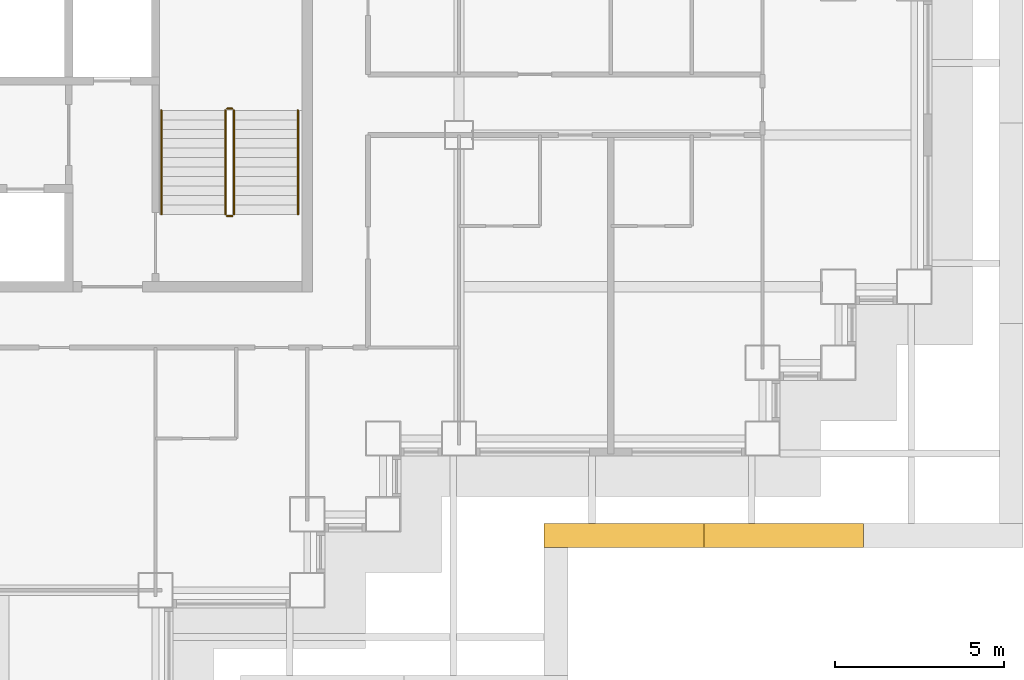
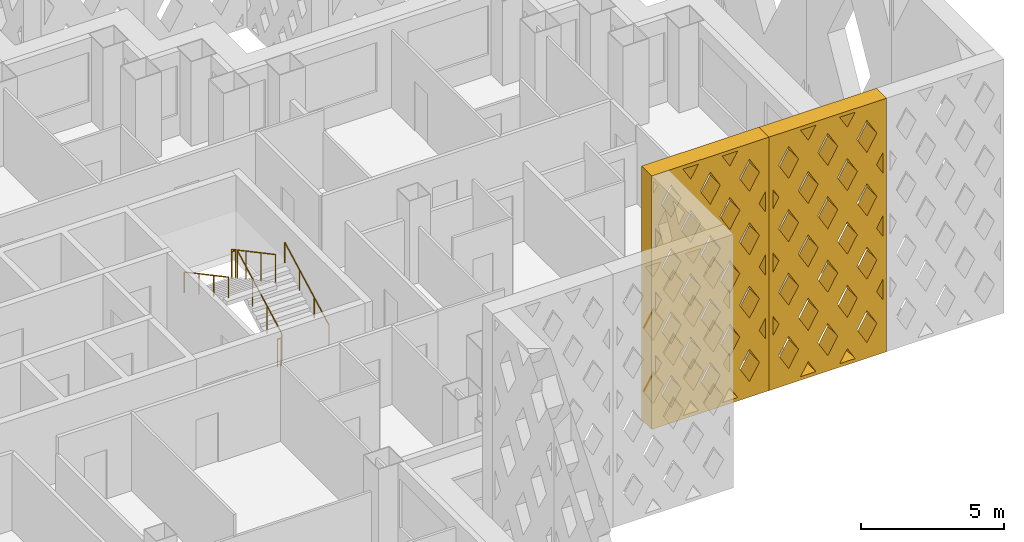
# One storey, part 16 of 19: 6 railings, 2 shading devices.
"""IFC4 building model written with IfcOpenShell, lengths in metres."""

from ifc_helpers import new_model, si_unit, direction, frame, origin, origin_2d, place, context, subcontext, project, spatial, polyline, circle, outline, extrude, material, type_object, element, save


model = new_model("IFC4")

# Units and contexts
model_context = context("Model", 3, precision=1e-05, world=origin(), true_north=direction((0.0, 1.0)))
body_context = subcontext(model_context, "Body", "Model", "MODEL_VIEW")
ifc_project = project(units=[si_unit("LENGTHUNIT", "METRE"), si_unit("AREAUNIT", "SQUARE_METRE"), si_unit("VOLUMEUNIT", "CUBIC_METRE"), si_unit("PLANEANGLEUNIT", "RADIAN"), si_unit("MASSUNIT", "GRAM", prefix="KILO")], contexts=[model_context])

# Site, building, storey
site_placement = place(None, origin())
site = spatial("IfcSite", under=ifc_project, at=site_placement, CompositionType="ELEMENT")
building_placement = place(site_placement, origin())
building = spatial("IfcBuilding", under=site, at=building_placement, Name="Caravel Reach Hotel and Residences", CompositionType="ELEMENT")
storey_placement = place(building_placement, frame((0.0, 0.0, 52.800048828125)))
storey = spatial("IfcBuildingStorey", under=building, at=storey_placement, Name="L11", CompositionType="ELEMENT", Elevation=52.800048828125)

# Shading devices
ifc_material_1 = material(Name="Black powder-coated aluminium", Category="aluminium")
shading_device_type = type_object("IfcShadingDeviceType", Name="Diamond lattice screen panel 4733 x 10800", PredefinedType="USERDEFINED", material=ifc_material_1)
shading_device_1_placement = place(storey_placement, frame((52.02490234375, 15.47509765625, 0.0), z_axis=(0.0, -1.0, 0.0), x_axis=(1.0, 0.0, 0.0)))
element("IfcShadingDevice", 1, at=shading_device_1_placement, inside=storey, type_object=shading_device_type, Name="Lattice screen L11-L13 6.1", ObjectType="SCREEN", PredefinedType="USERDEFINED", context=body_context, shape_type="SweptSolid", body=[
    extrude(outline(polyline([(0.0, 0.0), (4.7333984375, 0.0), (4.7333984375, 10.800048828125), (0.0, 10.800048828125), (0.0, 0.0)]), holes=[polyline([(0.4013671875, 2.699951171875), (0.14990234375, 3.130126953125), (0.14990234375, 2.269775390625), (0.4013671875, 2.699951171875)]), polyline([(0.4013671875, 5.39990234375), (0.14990234375, 5.830078125), (0.14990234375, 4.969970703125), (0.4013671875, 5.39990234375)]), polyline([(0.4013671875, 8.10009765625), (0.14990234375, 8.530029296875), (0.14990234375, 7.669921875), (0.4013671875, 8.10009765625)]), polyline([(0.788818359375, 2.036865234375), (0.387451171875, 1.35009765625), (0.788818359375, 0.6630859375), (1.190185546875, 1.35009765625), (0.788818359375, 2.036865234375)]), polyline([(0.788818359375, 4.73681640625), (0.387451171875, 4.050048828125), (0.788818359375, 3.36328125), (1.190185546875, 4.050048828125), (0.788818359375, 4.73681640625)]), polyline([(0.788818359375, 7.436767578125), (0.387451171875, 6.75), (0.788818359375, 6.063232421875), (1.190185546875, 6.75), (0.788818359375, 7.436767578125)]), polyline([(0.788818359375, 10.13671875), (0.387451171875, 9.449951171875), (0.788818359375, 8.76318359375), (1.190185546875, 9.449951171875), (0.788818359375, 10.13671875)]), polyline([(1.577880859375, 0.686767578125), (1.26416015625, 0.14990234375), (1.8916015625, 0.14990234375), (1.577880859375, 0.686767578125)]), polyline([(1.577880859375, 3.38671875), (1.176513671875, 2.699951171875), (1.577880859375, 2.01318359375), (1.979248046875, 2.699951171875), (1.577880859375, 3.38671875)]), polyline([(1.577880859375, 6.0869140625), (1.176513671875, 5.39990234375), (1.577880859375, 4.713134765625), (1.979248046875, 5.39990234375), (1.577880859375, 6.0869140625)]), polyline([(1.577880859375, 8.786865234375), (1.176513671875, 8.10009765625), (1.577880859375, 7.4130859375), (1.979248046875, 8.10009765625), (1.577880859375, 8.786865234375)]), polyline([(1.577880859375, 10.11328125), (1.8916015625, 10.64990234375), (1.26416015625, 10.64990234375), (1.577880859375, 10.11328125)]), polyline([(2.36669921875, 2.036865234375), (1.96533203125, 1.35009765625), (2.36669921875, 0.6630859375), (2.76806640625, 1.35009765625), (2.36669921875, 2.036865234375)]), polyline([(2.36669921875, 4.73681640625), (1.96533203125, 4.050048828125), (2.36669921875, 3.36328125), (2.76806640625, 4.050048828125), (2.36669921875, 4.73681640625)]), polyline([(2.36669921875, 7.436767578125), (1.96533203125, 6.75), (2.36669921875, 6.063232421875), (2.76806640625, 6.75), (2.36669921875, 7.436767578125)]), polyline([(2.36669921875, 10.13671875), (1.96533203125, 9.449951171875), (2.36669921875, 8.76318359375), (2.76806640625, 9.449951171875), (2.36669921875, 10.13671875)]), polyline([(3.155517578125, 0.686767578125), (2.841796875, 0.14990234375), (3.46923828125, 0.14990234375), (3.155517578125, 0.686767578125)]), polyline([(3.155517578125, 3.38671875), (2.754150390625, 2.699951171875), (3.155517578125, 2.01318359375), (3.556884765625, 2.699951171875), (3.155517578125, 3.38671875)]), polyline([(3.155517578125, 6.0869140625), (2.754150390625, 5.39990234375), (3.155517578125, 4.713134765625), (3.556884765625, 5.39990234375), (3.155517578125, 6.0869140625)]), polyline([(3.155517578125, 8.786865234375), (2.754150390625, 8.10009765625), (3.155517578125, 7.4130859375), (3.556884765625, 8.10009765625), (3.155517578125, 8.786865234375)]), polyline([(3.155517578125, 10.11328125), (3.46923828125, 10.64990234375), (2.841796875, 10.64990234375), (3.155517578125, 10.11328125)]), polyline([(3.9443359375, 2.036865234375), (3.54296875, 1.35009765625), (3.9443359375, 0.6630859375), (4.345703125, 1.35009765625), (3.9443359375, 2.036865234375)]), polyline([(3.9443359375, 4.73681640625), (3.54296875, 4.050048828125), (3.9443359375, 3.36328125), (4.345703125, 4.050048828125), (3.9443359375, 4.73681640625)]), polyline([(3.9443359375, 7.436767578125), (3.54296875, 6.75), (3.9443359375, 6.063232421875), (4.345703125, 6.75), (3.9443359375, 7.436767578125)]), polyline([(3.9443359375, 10.13671875), (3.54296875, 9.449951171875), (3.9443359375, 8.76318359375), (4.345703125, 9.449951171875), (3.9443359375, 10.13671875)]), polyline([(4.33203125, 2.699951171875), (4.583251953125, 2.269775390625), (4.583251953125, 3.130126953125), (4.33203125, 2.699951171875)]), polyline([(4.33203125, 5.39990234375), (4.583251953125, 4.969970703125), (4.583251953125, 5.830078125), (4.33203125, 5.39990234375)]), polyline([(4.33203125, 8.10009765625), (4.583251953125, 7.669921875), (4.583251953125, 8.530029296875), (4.33203125, 8.10009765625)])]), origin(), (0.0, 0.0, 1.0), 0.7001953125),
])
shading_device_2_placement = place(storey_placement, frame((56.75830078125, 15.47509765625, 0.0), z_axis=(0.0, -1.0, 0.0), x_axis=(1.0, 0.0, 0.0)))
element("IfcShadingDevice", 2, at=shading_device_2_placement, inside=storey, type_object=shading_device_type, Name="Lattice screen L11-L13 6.2", ObjectType="SCREEN", PredefinedType="USERDEFINED", context=body_context, shape_type="SweptSolid", body=[
    extrude(outline(polyline([(0.0, 0.0), (4.7333984375, 0.0), (4.7333984375, 10.800048828125), (0.0, 10.800048828125), (0.0, 0.0)]), holes=[polyline([(0.4013671875, 2.699951171875), (0.14990234375, 3.130126953125), (0.14990234375, 2.269775390625), (0.4013671875, 2.699951171875)]), polyline([(0.4013671875, 5.39990234375), (0.14990234375, 5.830078125), (0.14990234375, 4.969970703125), (0.4013671875, 5.39990234375)]), polyline([(0.4013671875, 8.10009765625), (0.14990234375, 8.530029296875), (0.14990234375, 7.669921875), (0.4013671875, 8.10009765625)]), polyline([(0.788818359375, 2.036865234375), (0.387451171875, 1.35009765625), (0.788818359375, 0.6630859375), (1.190185546875, 1.35009765625), (0.788818359375, 2.036865234375)]), polyline([(0.788818359375, 4.73681640625), (0.387451171875, 4.050048828125), (0.788818359375, 3.36328125), (1.190185546875, 4.050048828125), (0.788818359375, 4.73681640625)]), polyline([(0.788818359375, 7.436767578125), (0.387451171875, 6.75), (0.788818359375, 6.063232421875), (1.190185546875, 6.75), (0.788818359375, 7.436767578125)]), polyline([(0.788818359375, 10.13671875), (0.387451171875, 9.449951171875), (0.788818359375, 8.76318359375), (1.190185546875, 9.449951171875), (0.788818359375, 10.13671875)]), polyline([(1.577880859375, 0.686767578125), (1.26416015625, 0.14990234375), (1.8916015625, 0.14990234375), (1.577880859375, 0.686767578125)]), polyline([(1.577880859375, 3.38671875), (1.176513671875, 2.699951171875), (1.577880859375, 2.01318359375), (1.979248046875, 2.699951171875), (1.577880859375, 3.38671875)]), polyline([(1.577880859375, 6.0869140625), (1.176513671875, 5.39990234375), (1.577880859375, 4.713134765625), (1.979248046875, 5.39990234375), (1.577880859375, 6.0869140625)]), polyline([(1.577880859375, 8.786865234375), (1.176513671875, 8.10009765625), (1.577880859375, 7.4130859375), (1.979248046875, 8.10009765625), (1.577880859375, 8.786865234375)]), polyline([(1.577880859375, 10.11328125), (1.8916015625, 10.64990234375), (1.26416015625, 10.64990234375), (1.577880859375, 10.11328125)]), polyline([(2.36669921875, 2.036865234375), (1.96533203125, 1.35009765625), (2.36669921875, 0.6630859375), (2.76806640625, 1.35009765625), (2.36669921875, 2.036865234375)]), polyline([(2.36669921875, 4.73681640625), (1.96533203125, 4.050048828125), (2.36669921875, 3.36328125), (2.76806640625, 4.050048828125), (2.36669921875, 4.73681640625)]), polyline([(2.36669921875, 7.436767578125), (1.96533203125, 6.75), (2.36669921875, 6.063232421875), (2.76806640625, 6.75), (2.36669921875, 7.436767578125)]), polyline([(2.36669921875, 10.13671875), (1.96533203125, 9.449951171875), (2.36669921875, 8.76318359375), (2.76806640625, 9.449951171875), (2.36669921875, 10.13671875)]), polyline([(3.155517578125, 0.686767578125), (2.841796875, 0.14990234375), (3.46923828125, 0.14990234375), (3.155517578125, 0.686767578125)]), polyline([(3.155517578125, 3.38671875), (2.754150390625, 2.699951171875), (3.155517578125, 2.01318359375), (3.556884765625, 2.699951171875), (3.155517578125, 3.38671875)]), polyline([(3.155517578125, 6.0869140625), (2.754150390625, 5.39990234375), (3.155517578125, 4.713134765625), (3.556884765625, 5.39990234375), (3.155517578125, 6.0869140625)]), polyline([(3.155517578125, 8.786865234375), (2.754150390625, 8.10009765625), (3.155517578125, 7.4130859375), (3.556884765625, 8.10009765625), (3.155517578125, 8.786865234375)]), polyline([(3.155517578125, 10.11328125), (3.46923828125, 10.64990234375), (2.841796875, 10.64990234375), (3.155517578125, 10.11328125)]), polyline([(3.9443359375, 2.036865234375), (3.54296875, 1.35009765625), (3.9443359375, 0.6630859375), (4.345703125, 1.35009765625), (3.9443359375, 2.036865234375)]), polyline([(3.9443359375, 4.73681640625), (3.54296875, 4.050048828125), (3.9443359375, 3.36328125), (4.345703125, 4.050048828125), (3.9443359375, 4.73681640625)]), polyline([(3.9443359375, 7.436767578125), (3.54296875, 6.75), (3.9443359375, 6.063232421875), (4.345703125, 6.75), (3.9443359375, 7.436767578125)]), polyline([(3.9443359375, 10.13671875), (3.54296875, 9.449951171875), (3.9443359375, 8.76318359375), (4.345703125, 9.449951171875), (3.9443359375, 10.13671875)]), polyline([(4.33203125, 2.699951171875), (4.583251953125, 2.269775390625), (4.583251953125, 3.130126953125), (4.33203125, 2.699951171875)]), polyline([(4.33203125, 5.39990234375), (4.583251953125, 4.969970703125), (4.583251953125, 5.830078125), (4.33203125, 5.39990234375)]), polyline([(4.33203125, 8.10009765625), (4.583251953125, 7.669921875), (4.583251953125, 8.530029296875), (4.33203125, 8.10009765625)])]), origin(), (0.0, 0.0, 1.0), 0.7001953125),
])

# Railings
ifc_material_2 = material(Name="Steel balustrade with glass infill", Category="steel")
railing_type_1 = type_object("IfcRailingType", Name="Guard 1200", PredefinedType="GUARDRAIL", material=ifc_material_2)
railing_1_placement = place(storey_placement, frame((42.824951171875, 24.64990234375, 0.14990234375)))
element("IfcRailing", 3, at=railing_1_placement, inside=storey, type_object=railing_type_1, Name="L11 ST-B stair guard 1", PredefinedType="GUARDRAIL", context=body_context, shape_type="SweptSolid", body=[
    extrude(circle(Radius=0.02392578125, at=origin_2d()), frame((0.0, 0.0, 1.17578125), z_axis=(0.0, 0.881467505477, 0.472244678941), x_axis=(-1.0, 0.0, 0.0)), (0.0, 0.0, 1.0), 3.494140625),
    extrude(circle(Radius=0.02099609375, at=origin_2d()), origin(), (0.0, 0.0, 1.0), 1.15185546875),
    extrude(circle(Radius=0.02099609375, at=origin_2d()), frame((0.0, 1.026611328125, 0.550048828125)), (0.0, 0.0, 1.0), 1.15185546875),
    extrude(circle(Radius=0.02099609375, at=origin_2d()), frame((0.0, 2.053466796875, 1.10009765625)), (0.0, 0.0, 1.0), 1.15185546875),
    extrude(circle(Radius=0.02099609375, at=origin_2d()), frame((0.0, 3.080078125, 1.650146484375)), (0.0, 0.0, 1.0), 1.15185546875),
])
railing_2_placement = place(storey_placement, frame((42.77490234375, 27.780029296875, 1.800048828125)))
element("IfcRailing", 4, at=railing_2_placement, inside=storey, type_object=railing_type_1, Name="L11 ST-B stair guard 2", PredefinedType="GUARDRAIL", context=body_context, shape_type="SweptSolid", body=[
    extrude(circle(Radius=0.02392578125, at=origin_2d()), frame((0.0, 0.0, 1.17578125), z_axis=(-1.0, 0.0, 0.0), x_axis=(0.0, -1.0, 0.0)), (0.0, 0.0, 1.0), 0.14990234375),
    extrude(circle(Radius=0.02099609375, at=origin_2d()), origin(), (0.0, 0.0, 1.0), 1.15185546875),
    extrude(circle(Radius=0.02099609375, at=origin_2d()), frame((-0.14990234375, 0.0, 0.0)), (0.0, 0.0, 1.0), 1.15185546875),
])
railing_3_placement = place(storey_placement, frame((42.574951171875, 27.72998046875, 1.949951171875)))
element("IfcRailing", 5, at=railing_3_placement, inside=storey, type_object=railing_type_1, Name="L11 ST-B stair guard 3", PredefinedType="GUARDRAIL", context=body_context, shape_type="SweptSolid", body=[
    extrude(circle(Radius=0.02392578125, at=origin_2d()), frame((0.0, 0.0, 1.17578125), z_axis=(0.0, -0.881496589024, 0.472190389079), x_axis=(1.0, 0.0, 0.0)), (0.0, 0.0, 1.0), 3.494140625),
    extrude(circle(Radius=0.02099609375, at=origin_2d()), origin(), (0.0, 0.0, 1.0), 1.15185546875),
    extrude(circle(Radius=0.02099609375, at=origin_2d()), frame((0.0, -1.026611328125, 0.550048828125)), (0.0, 0.0, 1.0), 1.15185546875),
    extrude(circle(Radius=0.02099609375, at=origin_2d()), frame((0.0, -2.053466796875, 1.099853515625)), (0.0, 0.0, 1.0), 1.15185546875),
    extrude(circle(Radius=0.02099609375, at=origin_2d()), frame((0.0, -3.080078125, 1.64990234375)), (0.0, 0.0, 1.0), 1.15185546875),
])
railing_4_placement = place(storey_placement, frame((42.77490234375, 24.60009765625, 0.0)))
element("IfcRailing", 6, at=railing_4_placement, inside=storey, type_object=railing_type_1, Name="L11 ST-B stair guard 4", PredefinedType="GUARDRAIL", context=body_context, shape_type="SweptSolid", body=[
    extrude(circle(Radius=0.02392578125, at=origin_2d()), frame((0.0, 0.0, 1.17578125), z_axis=(-1.0, 0.0, 0.0), x_axis=(0.0, -1.0, 0.0)), (0.0, 0.0, 1.0), 0.14990234375),
    extrude(circle(Radius=0.02099609375, at=origin_2d()), origin(), (0.0, 0.0, 1.0), 1.15185546875),
    extrude(circle(Radius=0.02099609375, at=origin_2d()), frame((-0.14990234375, 0.0, 0.0)), (0.0, 0.0, 1.0), 1.15185546875),
])
ifc_material_3 = material(Name="Stainless steel handrail", Category="steel")
railing_type_2 = type_object("IfcRailingType", Name="Handrail 900", PredefinedType="HANDRAIL", material=ifc_material_3)
railing_5_placement = place(storey_placement, frame((44.72509765625, 24.64990234375, 0.14990234375)))
element("IfcRailing", 7, at=railing_5_placement, inside=storey, type_object=railing_type_2, Name="L11 ST-B stair handrail 1", PredefinedType="HANDRAIL", context=body_context, shape_type="SweptSolid", body=[
    extrude(circle(Radius=0.02392578125, at=origin_2d()), frame((0.0, 0.0, 0.8759765625), z_axis=(0.0, 0.881467505477, 0.472244678941), x_axis=(-1.0, 0.0, 0.0)), (0.0, 0.0, 1.0), 3.494140625),
    extrude(circle(Radius=0.02099609375, at=origin_2d()), origin(), (0.0, 0.0, 1.0), 0.851806640625),
    extrude(circle(Radius=0.02099609375, at=origin_2d()), frame((0.0, 1.026611328125, 0.550048828125)), (0.0, 0.0, 1.0), 0.851806640625),
    extrude(circle(Radius=0.02099609375, at=origin_2d()), frame((0.0, 2.053466796875, 1.10009765625)), (0.0, 0.0, 1.0), 0.851806640625),
    extrude(circle(Radius=0.02099609375, at=origin_2d()), frame((0.0, 3.080078125, 1.650146484375)), (0.0, 0.0, 1.0), 0.851806640625),
])
railing_6_placement = place(storey_placement, frame((40.675048828125, 27.72998046875, 1.949951171875)))
element("IfcRailing", 8, at=railing_6_placement, inside=storey, type_object=railing_type_2, Name="L11 ST-B stair handrail 2", PredefinedType="HANDRAIL", context=body_context, shape_type="SweptSolid", body=[
    extrude(circle(Radius=0.02392578125, at=origin_2d()), frame((0.0, 0.0, 0.8759765625), z_axis=(0.0, -0.881496589024, 0.472190389079), x_axis=(1.0, 0.0, 0.0)), (0.0, 0.0, 1.0), 3.494140625),
    extrude(circle(Radius=0.02099609375, at=origin_2d()), origin(), (0.0, 0.0, 1.0), 0.851806640625),
    extrude(circle(Radius=0.02099609375, at=origin_2d()), frame((0.0, -1.026611328125, 0.550048828125)), (0.0, 0.0, 1.0), 0.851806640625),
    extrude(circle(Radius=0.02099609375, at=origin_2d()), frame((0.0, -2.053466796875, 1.099853515625)), (0.0, 0.0, 1.0), 0.851806640625),
    extrude(circle(Radius=0.02099609375, at=origin_2d()), frame((0.0, -3.080078125, 1.64990234375)), (0.0, 0.0, 1.0), 0.851806640625),
])

save(model, "model.ifc")
